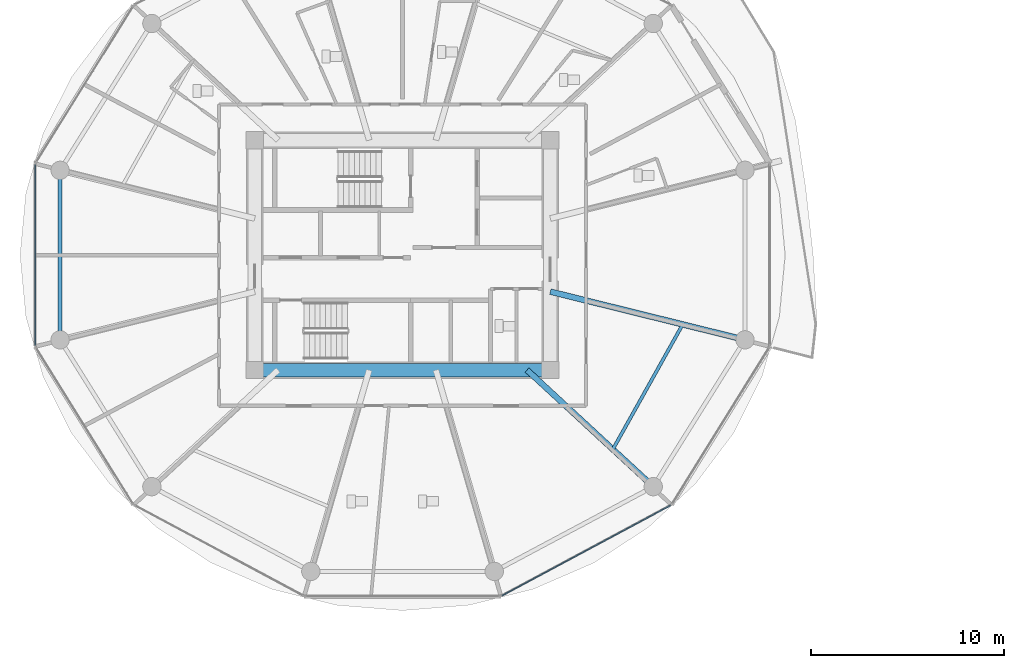
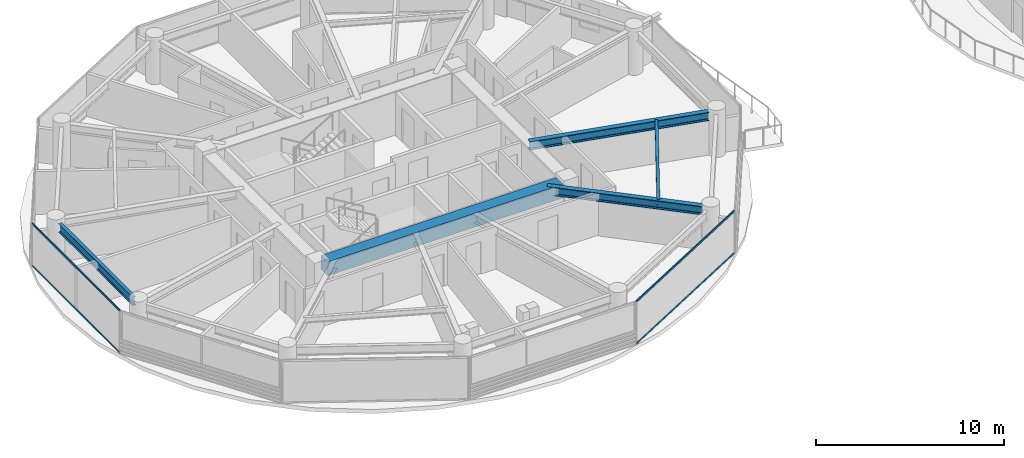
# One storey, part 3 of 26: 5 beams, 4 members, 2 elements without a shape of their own.
"""IFC4 building model written with IfcOpenShell, lengths in metres."""

import ifcopenshell
import ifcopenshell.guid

model = None  # the IFC model being written
_history = None  # IfcOwnerHistory: only IFC2X3 demands one
_inside = {}  # id of a spatial element -> (the spatial element, [elements in it])
_under = {}  # id of a project, library or spatial element -> (it, [spatial elements below it])
_declared = {}  # id of a project -> (the project, [libraries it declares])
_typed = {}  # id of a type object -> (the type object, [elements of that type])
_made_of = {}  # id of a material, layer set ... -> (it, [elements and type objects made of it])


def new_model(schema):
    """Start an empty IFC model of exactly this schema.

    Asked for "IFC4X3", IfcOpenShell would pick the latest addendum, in which some entities
    have other attributes; the version numbers below select the first issue.
    IFC2X3 requires an IfcOwnerHistory on every rooted entity: one is made here for all.
    """
    global model, _history
    if schema == "IFC4X3":
        model = ifcopenshell.file(schema_version=(4, 3, 0, 0))
    else:
        model = ifcopenshell.file(schema=schema)
    _inside.clear()
    _under.clear()
    _declared.clear()
    _typed.clear()
    _made_of.clear()
    _history = None
    if model.schema == "IFC2X3":
        org = make("IfcOrganization", Name="unknown")
        user = make(
            "IfcPersonAndOrganization",
            ThePerson=make("IfcPerson", FamilyName="unknown"),
            TheOrganization=org,
        )
        app = make(
            "IfcApplication",
            ApplicationDeveloper=org,
            Version="unknown",
            ApplicationFullName="unknown",
            ApplicationIdentifier="unknown",
        )
        _history = make(
            "IfcOwnerHistory",
            OwningUser=user,
            OwningApplication=app,
            ChangeAction="ADDED",
            CreationDate=0,
        )
    return model


def make(cls, **values):
    """One entity of the class cls with the attributes given. An attribute that is None is left unset."""
    return model.create_entity(
        cls, **{name: value for name, value in values.items() if value is not None}
    )


def rooted(cls, **values):
    """An entity with a GlobalId (a new one), such as an element, a storey or a relation."""
    return make(cls, GlobalId=ifcopenshell.guid.new(), OwnerHistory=_history, **values)


def si_unit(unit_type, name, prefix=None):
    """IfcSIUnit, for example si_unit("LENGTHUNIT", "METRE", prefix="MILLI")."""
    return make("IfcSIUnit", UnitType=unit_type, Prefix=prefix, Name=name)


def assignment(units):
    """IfcUnitAssignment: the units of a project."""
    return None if units is None else make("IfcUnitAssignment", Units=units)


def point(xyz):
    """IfcCartesianPoint."""
    return None if xyz is None else make("IfcCartesianPoint", Coordinates=xyz)


def direction(xyz):
    """IfcDirection."""
    return None if xyz is None else make("IfcDirection", DirectionRatios=xyz)


def frame(location, z_axis=None, x_axis=None):
    """IfcAxis2Placement3D, a coordinate frame: its origin and axes. An axis left out is left unset."""
    return make(
        "IfcAxis2Placement3D",
        Location=point(location),
        Axis=direction(z_axis),
        RefDirection=direction(x_axis),
    )


def frame_2d(location, x_axis=None):
    """IfcAxis2Placement2D, a coordinate frame in the plane: its origin and x axis."""
    return make(
        "IfcAxis2Placement2D", Location=point(location), RefDirection=direction(x_axis)
    )


def origin():
    """The frame at (0, 0, 0) with its axes left unset."""
    return frame((0.0, 0.0, 0.0))


def origin_2d():
    """The frame at (0, 0) in the plane with its x axis left unset."""
    return frame_2d((0.0, 0.0))


def place(relative_to, where):
    """IfcLocalPlacement: puts the frame where relative to a parent placement (None: the world)."""
    return make(
        "IfcLocalPlacement", PlacementRelTo=relative_to, RelativePlacement=where
    )


def context(
    kind, dimensions, precision=None, world=None, true_north=None, identifier=None
):
    """IfcGeometricRepresentationContext, for example the 3D "Model" context."""
    return make(
        "IfcGeometricRepresentationContext",
        ContextIdentifier=identifier,
        ContextType=kind,
        CoordinateSpaceDimension=dimensions,
        Precision=precision,
        WorldCoordinateSystem=world,
        TrueNorth=true_north,
    )


def subcontext(parent, identifier, kind, view, scale=None):
    """IfcGeometricRepresentationSubContext, for example "Body" below "Model"."""
    return make(
        "IfcGeometricRepresentationSubContext",
        ContextIdentifier=identifier,
        ContextType=kind,
        ParentContext=parent,
        TargetScale=scale,
        TargetView=view,
    )


def project(units=None, contexts=None):
    """IfcProject with its units and contexts."""
    return rooted(
        "IfcProject",
        Name="project",
        RepresentationContexts=contexts,
        UnitsInContext=assignment(units),
    )


def spatial(cls, under=None, at=None, **own):
    """A site, building, storey or space (cls), placed at a placement, below another one or the project."""
    s = rooted(cls, ObjectPlacement=at, **own)
    if under is not None:
        _under.setdefault(under.id(), (under, []))[1].append(s)
    return s


def profile(cls, at=None, kind="AREA", **sizes):
    """A parametric profile (cls). Its sizes go by their IFC names, for example OverallWidth=200.0."""
    return make(cls, ProfileType=kind, Position=at, **sizes)


def rectangle(**sizes):
    """IfcRectangleProfileDef."""
    return profile("IfcRectangleProfileDef", **sizes)


def i_section(**sizes):
    """IfcIShapeProfileDef."""
    return profile("IfcIShapeProfileDef", **sizes)


def extrude(swept, where, along, depth):
    """IfcExtrudedAreaSolid: the profile swept, set in the frame where, extruded along a direction by depth."""
    return make(
        "IfcExtrudedAreaSolid",
        SweptArea=swept,
        Position=where,
        ExtrudedDirection=direction(along),
        Depth=depth,
    )


def shape(context_of_items, identifier, shape_type, items):
    """IfcShapeRepresentation: the items that make up one representation, for example the "Body"."""
    return make(
        "IfcShapeRepresentation",
        ContextOfItems=context_of_items,
        RepresentationIdentifier=identifier,
        RepresentationType=shape_type,
        Items=items,
    )


def source(mapping_origin, context_of_items, identifier, shape_type, items):
    """IfcRepresentationMap: a shape defined once, which mapped items show again and again."""
    return make(
        "IfcRepresentationMap",
        MappingOrigin=mapping_origin,
        MappedRepresentation=shape(context_of_items, identifier, shape_type, items),
    )


def transform(
    local_origin,
    x_axis=None,
    y_axis=None,
    z_axis=None,
    scale=None,
    scale2=None,
    scale3=None,
    uniform=True,
):
    """IfcCartesianTransformationOperator3D, or its non-uniform kind. x_axis, y_axis, z_axis: its Axis1, 2, 3."""
    if uniform:
        return make(
            "IfcCartesianTransformationOperator3D",
            Axis1=direction(x_axis),
            Axis2=direction(y_axis),
            LocalOrigin=point(local_origin),
            Scale=scale,
            Axis3=direction(z_axis),
        )
    return make(
        "IfcCartesianTransformationOperator3DnonUniform",
        Axis1=direction(x_axis),
        Axis2=direction(y_axis),
        LocalOrigin=point(local_origin),
        Scale=scale,
        Axis3=direction(z_axis),
        Scale2=scale2,
        Scale3=scale3,
    )


def mapped(mapping_source, mapping_target):
    """IfcMappedItem: shows the shape of a source again, moved by a transform."""
    return make(
        "IfcMappedItem", MappingSource=mapping_source, MappingTarget=mapping_target
    )


def material(Name=None, Category=None):
    """IfcMaterial."""
    return make("IfcMaterial", Name=Name, Category=Category)


def layer(
    of_material, thickness, ventilated=None, Name=None, Category=None, Priority=None
):
    """IfcMaterialLayer: one layer of a wall or slab, of a material (None: an air gap)."""
    return make(
        "IfcMaterialLayer",
        Material=of_material,
        LayerThickness=thickness,
        IsVentilated=ventilated,
        Name=Name,
        Category=Category,
        Priority=Priority,
    )


def layer_set(layers, Name=None):
    """IfcMaterialLayerSet."""
    return make("IfcMaterialLayerSet", MaterialLayers=layers, LayerSetName=Name)


def material_profile(
    of_material, cross_section, Name=None, Category=None, Priority=None
):
    """IfcMaterialProfile: a cross section and its material."""
    return make(
        "IfcMaterialProfile",
        Name=Name,
        Material=of_material,
        Profile=cross_section,
        Priority=Priority,
        Category=Category,
    )


def profile_set(profiles, Name=None, composite=None):
    """IfcMaterialProfileSet."""
    return make(
        "IfcMaterialProfileSet",
        Name=Name,
        MaterialProfiles=profiles,
        CompositeProfile=composite,
    )


def made_of(thing, what):
    """Note that an element or type object is made of a material, layer set ...; save() writes the relation."""
    if what is not None:
        _made_of.setdefault(what.id(), (what, []))[1].append(thing)
    return thing


def type_object(cls, material=None, **own):
    """A type object (cls), such as IfcWallType, which elements share."""
    return made_of(rooted(cls, **own), material)


def type_shapes(of_type, sources):
    """Give a type object the sources (RepresentationMaps) that its elements show as mapped items."""
    of_type.RepresentationMaps = sources


def element(
    cls,
    number,
    at=None,
    inside=None,
    cuts=None,
    type_object=None,
    material=None,
    context=None,
    identifier="Body",
    shape_type=None,
    held_by="IfcProductDefinitionShape",
    body=None,
    shapes=None,
    **own,
):
    """One element of the class cls, such as IfcWall. Its Tag is "e" and its number.

    at: its placement. inside: the storey or other place that contains it. cuts: it is an
    opening in that element (IfcRelVoidsElement). A single representation is given by context,
    identifier, shape_type and body (its items); several are given by shapes. held_by: the class
    of the entity that holds the representations. save() writes the other relations.
    """
    e = rooted(cls, Tag="e%d" % number, ObjectPlacement=at, **own)
    if body is not None:
        shapes = [shape(context, identifier, shape_type, body)]
    if shapes is not None:
        e.Representation = make(held_by, Representations=shapes)
    if inside is not None:
        _inside.setdefault(inside.id(), (inside, []))[1].append(e)
    if cuts is not None:
        rooted(
            "IfcRelVoidsElement", RelatingBuildingElement=cuts, RelatedOpeningElement=e
        )
    if type_object is not None:
        _typed.setdefault(type_object.id(), (type_object, []))[1].append(e)
    return made_of(e, material)


def aggregate(whole, parts):
    """IfcRelAggregates: a whole, such as a stair, and the parts it consists of."""
    return rooted("IfcRelAggregates", RelatingObject=whole, RelatedObjects=parts)


def save(model, path):
    """Write the relations noted so far, then the file.

    IfcRelAggregates (storeys below a building ...), IfcRelContainedInSpatialStructure (elements
    in a storey), IfcRelDefinesByType, IfcRelAssociatesMaterial and IfcRelDeclares: one each for
    every whole, place, type object, material and project.
    """
    for whole, parts in _under.values():
        aggregate(whole, parts)
    for where, things in _inside.values():
        rooted(
            "IfcRelContainedInSpatialStructure",
            RelatedElements=things,
            RelatingStructure=where,
        )
    for kind, things in _typed.values():
        rooted("IfcRelDefinesByType", RelatedObjects=things, RelatingType=kind)
    for what, things in _made_of.values():
        rooted("IfcRelAssociatesMaterial", RelatedObjects=things, RelatingMaterial=what)
    for by, libraries in _declared.values():
        rooted("IfcRelDeclares", RelatingContext=by, RelatedDefinitions=libraries)
    model.write(path)


model = new_model("IFC4")

# Units and contexts
model_context = context("Model", 3, precision=1e-05, world=origin(), true_north=direction((0.0, 1.0)))
body_context = subcontext(model_context, "Body", "Model", "MODEL_VIEW")
ifc_project = project(units=[si_unit("LENGTHUNIT", "METRE"), si_unit("AREAUNIT", "SQUARE_METRE"), si_unit("VOLUMEUNIT", "CUBIC_METRE"), si_unit("PLANEANGLEUNIT", "RADIAN"), si_unit("MASSUNIT", "GRAM", prefix="KILO")], contexts=[model_context])

# Site, building, storey
site_placement = place(None, origin())
site = spatial("IfcSite", under=ifc_project, at=site_placement, CompositionType="ELEMENT")
building_placement = place(site_placement, origin())
building = spatial("IfcBuilding", under=site, at=building_placement, Name="Norrkilde Senior Care Towers", CompositionType="ELEMENT")
storey_placement = place(building_placement, frame((0.0, 0.0, 67.35009765625)))
storey = spatial("IfcBuildingStorey", under=building, at=storey_placement, Name="L20", CompositionType="ELEMENT", Elevation=67.35009765625)

# Beams
ifc_material_1 = material(Name="Concrete C60/75", Category="concrete")
ifc_material_profile_1 = material_profile(ifc_material_1, rectangle(XDim=0.699951171875, YDim=0.89990234375, at=origin_2d()), Name="RC BM 700x900")
ifc_profile_set_1 = profile_set([ifc_material_profile_1], Name="Concrete C60/75")
beam_type_1 = type_object("IfcBeamType", Name="Core Coupling Girder 700x900", PredefinedType="USERDEFINED", material=ifc_profile_set_1)
shared_shape_1 = source(origin(), body_context, "Body", "SweptSolid", [
    extrude(rectangle(XDim=0.699951171875, YDim=0.89990234375, at=origin_2d()), origin(), (0.0, 0.0, 1.0), 14.43994140625),
])
type_shapes(beam_type_1, [shared_shape_1])
beam_1_placement = place(storey_placement, frame((-35.219970703125, -5.949951171875, 2.33984375), z_axis=(1.0, 0.0, 0.0), x_axis=(0.0, 1.0, 0.0)))
element("IfcBeam", 1, at=beam_1_placement, inside=storey, type_object=beam_type_1, Name="L20 Core W S Coupling Girder", ObjectType="GIRDER", PredefinedType="USERDEFINED", context=body_context, shape_type="MappedRepresentation", body=[
    mapped(shared_shape_1, transform((0.0, 0.0, 0.0), x_axis=(1.0, 0.0, 0.0), y_axis=(0.0, 1.0, 0.0), z_axis=(0.0, 0.0, 1.0), scale=1.0)),
])
ifc_material_2 = material(Name="Steel S355", Category="steel")
ifc_material_profile_2 = material_profile(ifc_material_2, i_section(OverallWidth=0.300048828125, OverallDepth=0.550048828125, WebThickness=0.014892578125, FlangeThickness=0.029052734375, FilletRadius=0.027099609375, at=origin_2d()), Name="HEB 550")
ifc_profile_set_2 = profile_set([ifc_material_profile_2], Name="Steel S355")
beam_type_2 = type_object("IfcBeamType", Name="Radial Floor Beam Z1 HEB550", PredefinedType="BEAM", material=ifc_profile_set_2)
shared_shape_2 = source(origin(), body_context, "Body", "SweptSolid", [
    extrude(i_section(OverallWidth=0.300048828125, OverallDepth=0.550048828125, WebThickness=0.014892578125, FlangeThickness=0.029052734375, FilletRadius=0.027099609375, at=origin_2d()), origin(), (0.0, 0.0, 1.0), 9.94384765625),
])
beam_2_placement = place(storey_placement, frame((-20.35009765625, -1.893310546875, 2.514892578125), z_axis=(0.970707425182, -0.240264634718, 0.0), x_axis=(0.240264634718, 0.970707425182, 0.0)))
element("IfcBeam", 2, at=beam_2_placement, inside=storey, type_object=beam_type_2, Name="L20 Drum W Radial Floor Beam 12", PredefinedType="BEAM", context=body_context, shape_type="MappedRepresentation", body=[
    mapped(shared_shape_2, transform((0.0, 0.0, 0.0), x_axis=(1.0, 0.0, 0.0), y_axis=(0.0, 1.0, 0.0), z_axis=(0.0, 0.0, 1.0), scale=1.0)),
])
shared_shape_3 = source(origin(), body_context, "Body", "SweptSolid", [
    extrude(i_section(OverallWidth=0.300048828125, OverallDepth=0.550048828125, WebThickness=0.014892578125, FlangeThickness=0.029052734375, FilletRadius=0.027099609375, at=origin_2d()), origin(), (0.0, 0.0, 1.0), 8.459716796875),
])
type_shapes(beam_type_2, [shared_shape_2, shared_shape_3])
beam_3_placement = place(storey_placement, frame((-21.55859375, -5.949951171875, 2.514892578125), z_axis=(0.734573269108, -0.678529374686, 0.0), x_axis=(0.678529374686, 0.734573269108, 0.0)))
element("IfcBeam", 3, at=beam_3_placement, inside=storey, type_object=beam_type_2, Name="L20 Drum W Radial Floor Beam 11", PredefinedType="BEAM", context=body_context, shape_type="MappedRepresentation", body=[
    mapped(shared_shape_3, transform((0.0, 0.0, 0.0), x_axis=(1.0, 0.0, 0.0), y_axis=(0.0, 1.0, 0.0), z_axis=(0.0, 0.0, 1.0), scale=1.0)),
])
ifc_material_profile_3 = material_profile(ifc_material_2, i_section(OverallWidth=0.2099609375, OverallDepth=0.550048828125, WebThickness=0.010986328125, FlangeThickness=0.01708984375, FilletRadius=0.02392578125, at=origin_2d()), Name="IPE 550")
ifc_profile_set_3 = profile_set([ifc_material_profile_3], Name="Steel S355")
beam_type_3 = type_object("IfcBeamType", Name="Perimeter Ring Spandrel Z1 IPE550", PredefinedType="SPANDREL", material=ifc_profile_set_3)
shared_shape_4 = source(origin(), body_context, "Body", "SweptSolid", [
    extrude(i_section(OverallWidth=0.2099609375, OverallDepth=0.550048828125, WebThickness=0.010986328125, FlangeThickness=0.01708984375, FilletRadius=0.02392578125, at=origin_2d()), origin(), (0.0, 0.0, 1.0), 7.90380859375),
])
type_shapes(beam_type_3, [shared_shape_4])
beam_4_placement = place(storey_placement, frame((-45.724853515625, 3.951904296875, 2.514892578125), z_axis=(0.0, -1.0, 0.0), x_axis=(1.0, 0.0, 0.0)))
element("IfcBeam", 4, at=beam_4_placement, inside=storey, type_object=beam_type_3, Name="L20 Drum W Perimeter Spandrel 06", PredefinedType="SPANDREL", context=body_context, shape_type="MappedRepresentation", body=[
    mapped(shared_shape_4, transform((0.0, 0.0, 0.0), x_axis=(1.0, 0.0, 0.0), y_axis=(0.0, 1.0, 0.0), z_axis=(0.0, 0.0, 1.0), scale=1.0)),
])
ifc_material_profile_4 = material_profile(ifc_material_2, i_section(OverallWidth=0.169921875, OverallDepth=0.360107421875, WebThickness=0.008056640625, FlangeThickness=0.0126953125, FilletRadius=0.01806640625, at=origin_2d()), Name="IPE 360")
ifc_profile_set_4 = profile_set([ifc_material_profile_4], Name="Steel S355")
beam_type_4 = type_object("IfcBeamType", Name="Secondary Floor Joist IPE360", PredefinedType="JOIST", material=ifc_profile_set_4)
shared_shape_5 = source(origin(), body_context, "Body", "SweptSolid", [
    extrude(i_section(OverallWidth=0.169921875, OverallDepth=0.360107421875, WebThickness=0.008056640625, FlangeThickness=0.0126953125, FilletRadius=0.01806640625, at=origin_2d()), origin(), (0.0, 0.0, 1.0), 7.40771484375),
])
type_shapes(beam_type_4, [shared_shape_5])
beam_5_placement = place(storey_placement, frame((-17.115478515625, -10.05419921875, 2.60986328125), z_axis=(0.488167754092, 0.872749817453, 0.0), x_axis=(-0.872749817453, 0.488167754092, 0.0)))
element("IfcBeam", 5, at=beam_5_placement, inside=storey, type_object=beam_type_4, Name="L20 Drum W Secondary Floor Joist 4", PredefinedType="JOIST", context=body_context, shape_type="MappedRepresentation", body=[
    mapped(shared_shape_5, transform((0.0, 0.0, 0.0), x_axis=(1.0, 0.0, 0.0), y_axis=(0.0, 1.0, 0.0), z_axis=(0.0, 0.0, 1.0), scale=1.0)),
])

# Curtain wall, members
ifc_material_3 = material(Name="Triple Low-E Insulated Glazing", Category="glass")
ifc_layer = layer(ifc_material_3, 0.199951171875)
ifc_layer_set = layer_set([ifc_layer], Name="Triple Low-E Insulated Glazing")
curtain_wall_type = type_object("IfcCurtainWallType", Name="CW2 Zone 1 Memory Care Curtain Wall", PredefinedType="NOTDEFINED", material=ifc_layer_set)
curtain_wall_1_placement = place(storey_placement, origin())
curtain_wall_1 = element("IfcCurtainWall", 6, at=curtain_wall_1_placement, inside=storey, type_object=curtain_wall_type, Name="L20 Drum W Curtain Wall 09", PredefinedType="NOTDEFINED")
ifc_material_4 = material(Name="Anodised Aluminium", Category="aluminium")
ifc_material_profile_5 = material_profile(ifc_material_4, rectangle(XDim=0.06005859375, YDim=0.1201171875, at=origin_2d()), Name="ALU TRAN 60x120")
ifc_profile_set_5 = profile_set([ifc_material_profile_5], Name="Anodised Aluminium")
member_type = type_object("IfcMemberType", Name="Curtain Wall Transom Typical 60x120", PredefinedType="USERDEFINED", material=ifc_profile_set_5)
shared_shape_6 = source(origin(), body_context, "Body", "SweptSolid", [
    extrude(rectangle(XDim=0.06005859375, YDim=0.1201171875, at=origin_2d()), origin(), (0.0, 0.0, 1.0), 9.880859375),
])
member_1_placement = place(storey_placement, frame((-14.141357421875, -12.95654296875, 0.02978515625), z_axis=(-0.881267204043, -0.47261836092, 0.0), x_axis=(0.47261836092, -0.881267204043, 0.0)))
member_1 = element("IfcMember", 7, at=member_1_placement, type_object=member_type, Name="CW-2 transom 1.1", ObjectType="TRANSOM", PredefinedType="USERDEFINED", context=body_context, shape_type="MappedRepresentation", body=[
    mapped(shared_shape_6, transform((0.0, 0.0, 0.0), x_axis=(1.0, 0.0, 0.0), y_axis=(0.0, 1.0, 0.0), z_axis=(0.0, 0.0, 1.0), scale=1.0)),
])
member_2_placement = place(storey_placement, frame((-14.141357421875, -12.95654296875, 2.760009765625), z_axis=(-0.881267204043, -0.47261836092, 0.0), x_axis=(0.47261836092, -0.881267204043, 0.0)))
member_2 = element("IfcMember", 8, at=member_2_placement, type_object=member_type, Name="CW-2 transom 1.2", ObjectType="TRANSOM", PredefinedType="USERDEFINED", context=body_context, shape_type="MappedRepresentation", body=[
    mapped(shared_shape_6, transform((0.0, 0.0, 0.0), x_axis=(1.0, 0.0, 0.0), y_axis=(0.0, 1.0, 0.0), z_axis=(0.0, 0.0, 1.0), scale=1.0)),
])
aggregate(curtain_wall_1, [member_1, member_2])

curtain_wall_2_placement = place(storey_placement, origin())
curtain_wall_2 = element("IfcCurtainWall", 9, at=curtain_wall_2_placement, inside=storey, type_object=curtain_wall_type, Name="L20 Drum W Curtain Wall 05", PredefinedType="NOTDEFINED")
shared_shape_7 = source(origin(), body_context, "Body", "SweptSolid", [
    extrude(rectangle(XDim=0.06005859375, YDim=0.1201171875, at=origin_2d()), origin(), (0.0, 0.0, 1.0), 9.33251953125),
])
type_shapes(member_type, [shared_shape_6, shared_shape_7])
member_3_placement = place(storey_placement, frame((-47.009521484375, -4.666259765625, 0.02978515625), z_axis=(0.0, 1.0, 0.0), x_axis=(-1.0, 0.0, 0.0)))
member_3 = element("IfcMember", 10, at=member_3_placement, type_object=member_type, Name="CW-2 transom 1.1", ObjectType="TRANSOM", PredefinedType="USERDEFINED", context=body_context, shape_type="MappedRepresentation", body=[
    mapped(shared_shape_7, transform((0.0, 0.0, 0.0), x_axis=(1.0, 0.0, 0.0), y_axis=(0.0, 1.0, 0.0), z_axis=(0.0, 0.0, 1.0), scale=1.0)),
])
member_4_placement = place(storey_placement, frame((-47.009521484375, -4.666259765625, 2.760009765625), z_axis=(0.0, 1.0, 0.0), x_axis=(-1.0, 0.0, 0.0)))
member_4 = element("IfcMember", 11, at=member_4_placement, type_object=member_type, Name="CW-2 transom 1.2", ObjectType="TRANSOM", PredefinedType="USERDEFINED", context=body_context, shape_type="MappedRepresentation", body=[
    mapped(shared_shape_7, transform((0.0, 0.0, 0.0), x_axis=(1.0, 0.0, 0.0), y_axis=(0.0, 1.0, 0.0), z_axis=(0.0, 0.0, 1.0), scale=1.0)),
])
aggregate(curtain_wall_2, [member_3, member_4])

save(model, "model.ifc")
